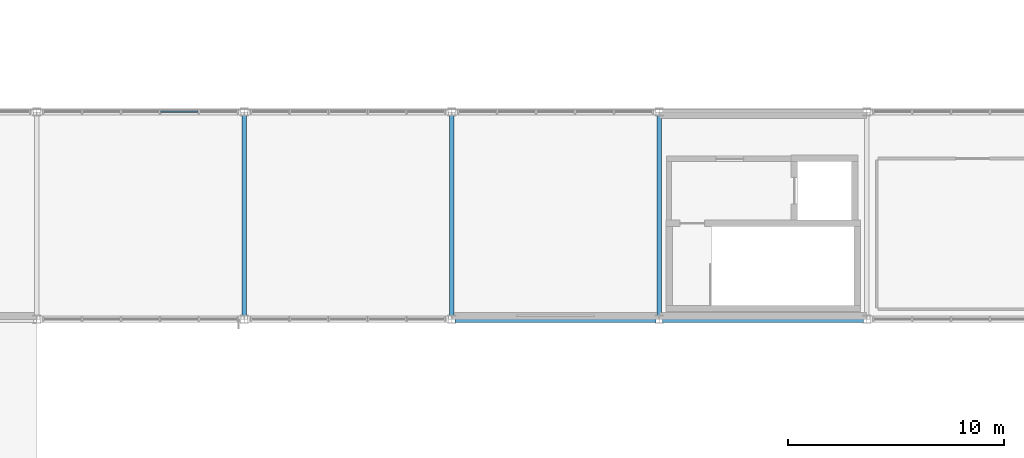
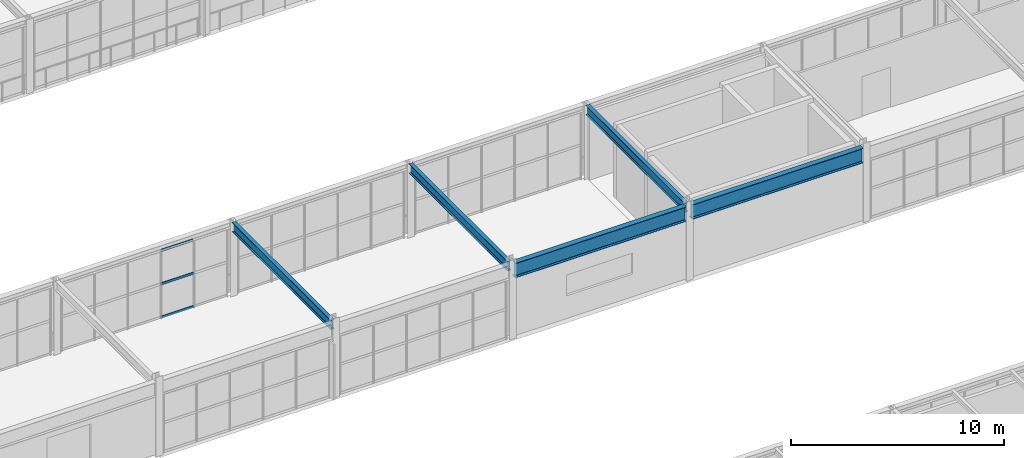
# One storey, part 70 of 170: 5 beams, 3 members, 1 element without a shape of its own.
"""IFC4 building model written with IfcOpenShell, lengths in metres."""

from ifc_helpers import new_model, si_unit, direction, frame, origin, origin_2d, place, context, subcontext, project, spatial, hollow_rectangle, i_section, extrude, material, material_profile, profile_set, type_object, element, aggregate, save


model = new_model("IFC4")

# Units and contexts
model_context = context("Model", 3, precision=1e-05, world=origin(), true_north=direction((0.0, 1.0)))
body_context = subcontext(model_context, "Body", "Model", "MODEL_VIEW")
ifc_project = project(units=[si_unit("LENGTHUNIT", "METRE"), si_unit("AREAUNIT", "SQUARE_METRE"), si_unit("VOLUMEUNIT", "CUBIC_METRE"), si_unit("PLANEANGLEUNIT", "RADIAN"), si_unit("MASSUNIT", "GRAM", prefix="KILO")], contexts=[model_context])

# Site, building, storey
site_placement = place(None, origin())
site = spatial("IfcSite", under=ifc_project, at=site_placement, CompositionType="ELEMENT")
building_placement = place(site_placement, origin())
building = spatial("IfcBuilding", under=site, at=building_placement, Name="Coralgate Yard Interchange", CompositionType="ELEMENT")
storey_placement = place(building_placement, frame((0.0, 0.0, 6.0)))
storey = spatial("IfcBuildingStorey", under=building, at=storey_placement, Name="L01", CompositionType="ELEMENT", Elevation=6.0)

# Beams
ifc_material_1 = material(Name="Structural steel S355J2", Category="steel")
ifc_material_profile_1 = material_profile(ifc_material_1, i_section(OverallWidth=0.209228515625, OverallDepth=0.533203125, WebThickness=0.010009765625, FlangeThickness=0.015625, FilletRadius=0.0126953125, at=origin_2d()), Name="UB 533x210x92")
ifc_profile_set_1 = profile_set([ifc_material_profile_1], Name="Structural steel S355J2")
beam_type_1 = type_object("IfcBeamType", Name="BM-SB-1", PredefinedType="BEAM", material=ifc_profile_set_1)
for number, where, z_axis, x_axis, name in (
    (1, (67.199951171875, 38.55419921875, 3.9833984375), (0.0, 1.0, 0.0), (-1.0, 0.0, 0.0), "L01 primary grid girder X7 Y4-5"),
    (2, (76.800048828125, 38.55419921875, 3.9833984375), (0.0, 1.0, 0.0), (-1.0, 0.0, 0.0), "L01 primary grid girder X8 Y4-5"),
    (3, (86.39990234375, 38.55419921875, 3.9833984375), (0.0, 1.0, 0.0), (-1.0, 0.0, 0.0), "L01 primary grid girder X9 Y4-5"),
):
    element("IfcBeam", number, at=place(storey_placement, frame(where, z_axis=z_axis, x_axis=x_axis)), inside=storey, type_object=beam_type_1, Name=name, PredefinedType="BEAM", context=body_context, shape_type="SweptSolid", body=[
        extrude(i_section(OverallWidth=0.209228515625, OverallDepth=0.533203125, WebThickness=0.010009765625, FlangeThickness=0.015625, FilletRadius=0.0126953125, at=origin_2d()), origin(), (0.0, 0.0, 1.0), 9.291748046875),
    ])
ifc_material_profile_2 = material_profile(ifc_material_1, i_section(OverallWidth=0.29248046875, OverallDepth=0.8408203125, WebThickness=0.0146484375, FlangeThickness=0.021728515625, FilletRadius=0.017822265625, at=origin_2d()), Name="UB 838x292x194")
ifc_profile_set_2 = profile_set([ifc_material_profile_2], Name="Structural steel S355J2")
beam_type_2 = type_object("IfcBeamType", Name="BM-SG-2", PredefinedType="BEAM", material=ifc_profile_set_2)
for number, where, z_axis, x_axis, name in (
    (4, (76.956298828125, 38.39990234375, 3.82958984375), (1.0, 0.0, 0.0), (0.0, 1.0, 0.0), "L01 primary grid beam Y4 X8-9"),
    (5, (86.556396484375, 38.39990234375, 3.82958984375), (1.0, 0.0, 0.0), (0.0, 1.0, 0.0), "L01 primary grid beam Y4 X9-10"),
):
    element("IfcBeam", number, at=place(storey_placement, frame(where, z_axis=z_axis, x_axis=x_axis)), inside=storey, type_object=beam_type_2, Name=name, PredefinedType="BEAM", context=body_context, shape_type="SweptSolid", body=[
        extrude(i_section(OverallWidth=0.29248046875, OverallDepth=0.8408203125, WebThickness=0.0146484375, FlangeThickness=0.021728515625, FilletRadius=0.017822265625, at=origin_2d()), origin(), (0.0, 0.0, 1.0), 9.287353515625),
    ])

# Curtain wall, members
ifc_material_2 = material(Name="Anodised coastal aluminium and solar-control low-E glass", Category="aluminium")
curtain_wall_type = type_object("IfcCurtainWallType", Name="CW-CW-L01-B", PredefinedType="NOTDEFINED", material=ifc_material_2)
curtain_wall_placement = place(storey_placement, origin())
curtain_wall = element("IfcCurtainWall", 6, at=curtain_wall_placement, inside=storey, type_object=curtain_wall_type, Name="L01 unitised curtain wall CW-L01-N-06-04", PredefinedType="NOTDEFINED")
ifc_material_3 = material(Name="Anodised coastal aluminium 6063-T6", Category="aluminium")
ifc_material_profile_3 = material_profile(ifc_material_3, hollow_rectangle(XDim=0.06005859375, YDim=0.139892578125, WallThickness=0.00341796875, InnerFilletRadius=0.00341796875, OuterFilletRadius=0.007080078125, at=origin_2d()), Name="ALU 60x140x3.5")
ifc_profile_set_3 = profile_set([ifc_material_profile_3], Name="Anodised coastal aluminium 6063-T6")
member_type = type_object("IfcMemberType", Name="MB-TRN-140", PredefinedType="USERDEFINED", material=ifc_profile_set_3)
member_1_placement = place(storey_placement, frame((63.330078125, 48.0, 0.034912109375), z_axis=(1.0, 0.0, 0.0), x_axis=(0.0, 1.0, 0.0)))
member_1 = element("IfcMember", 7, at=member_1_placement, type_object=member_type, Name="CW-L01-N-06-04 horizontal transom 4-1", ObjectType="TRANSOM", PredefinedType="USERDEFINED", context=body_context, shape_type="SweptSolid", body=[
    extrude(hollow_rectangle(XDim=0.06005859375, YDim=0.139892578125, WallThickness=0.00341796875, InnerFilletRadius=0.00341796875, OuterFilletRadius=0.007080078125, at=origin_2d()), origin(), (0.0, 0.0, 1.0), 1.739990234375),
])
member_2_placement = place(storey_placement, frame((63.330078125, 48.0, 1.949951171875), z_axis=(1.0, 0.0, 0.0), x_axis=(0.0, 1.0, 0.0)))
member_2 = element("IfcMember", 8, at=member_2_placement, type_object=member_type, Name="CW-L01-N-06-04 horizontal transom 4-2", ObjectType="TRANSOM", PredefinedType="USERDEFINED", context=body_context, shape_type="SweptSolid", body=[
    extrude(hollow_rectangle(XDim=0.06005859375, YDim=0.139892578125, WallThickness=0.00341796875, InnerFilletRadius=0.00341796875, OuterFilletRadius=0.007080078125, at=origin_2d()), origin(), (0.0, 0.0, 1.0), 1.739990234375),
])
member_3_placement = place(storey_placement, frame((63.330078125, 48.0, 3.864990234375), z_axis=(1.0, 0.0, 0.0), x_axis=(0.0, 1.0, 0.0)))
member_3 = element("IfcMember", 9, at=member_3_placement, type_object=member_type, Name="CW-L01-N-06-04 horizontal transom 4-3", ObjectType="TRANSOM", PredefinedType="USERDEFINED", context=body_context, shape_type="SweptSolid", body=[
    extrude(hollow_rectangle(XDim=0.06005859375, YDim=0.139892578125, WallThickness=0.00341796875, InnerFilletRadius=0.00341796875, OuterFilletRadius=0.007080078125, at=origin_2d()), origin(), (0.0, 0.0, 1.0), 1.739990234375),
])
aggregate(curtain_wall, [member_1, member_2, member_3])

save(model, "model.ifc")
